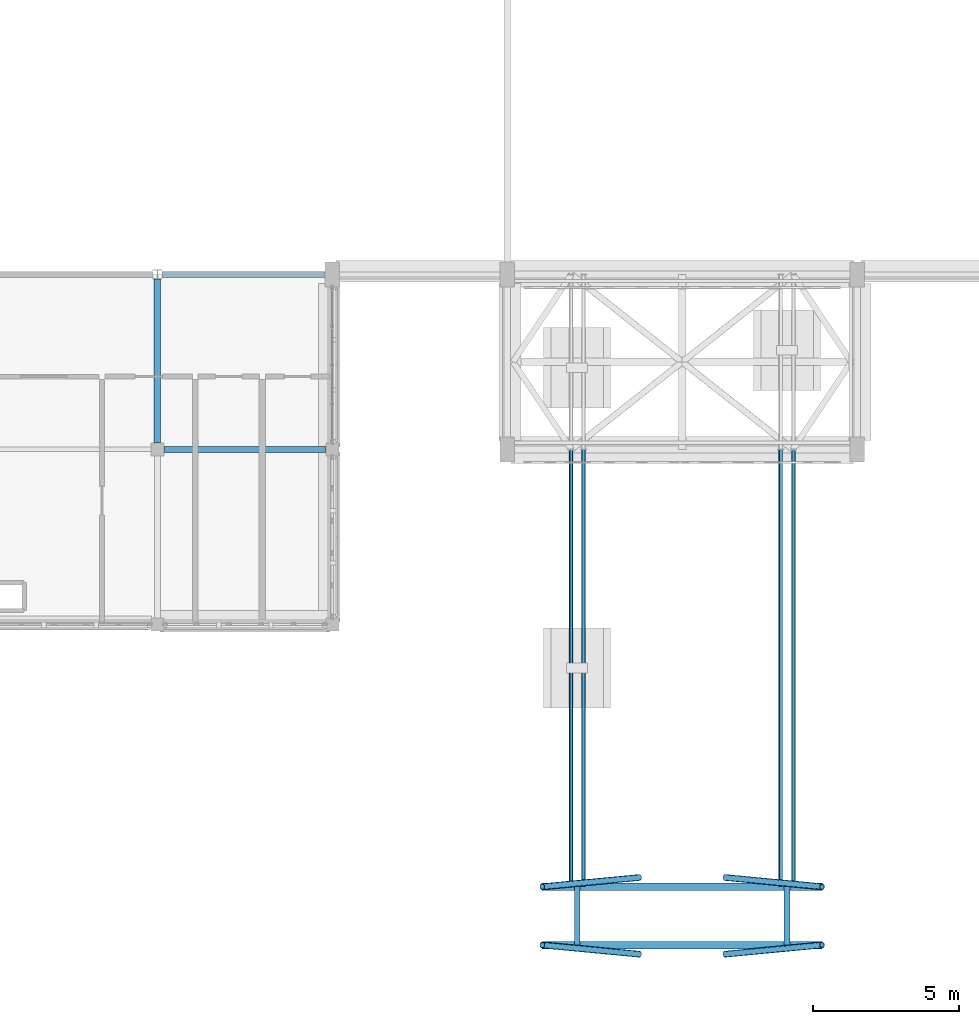
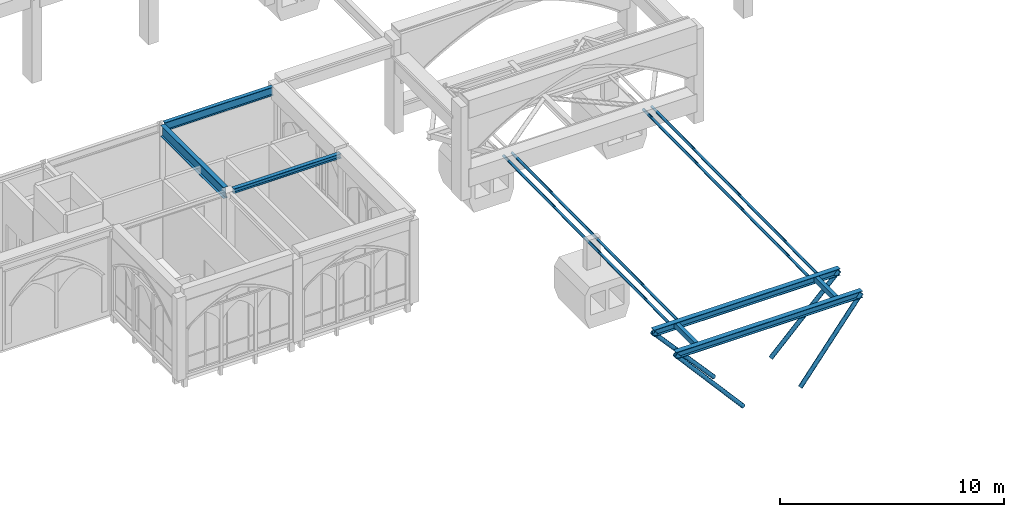
# One storey, part 22 of 59: 12 members, 3 beams.
"""IFC4 building model written with IfcOpenShell, lengths in metres."""

from ifc_helpers import new_model, si_unit, direction, frame, origin, origin_2d, place, context, subcontext, project, spatial, hollow_rectangle, hollow_circle, i_section, extrude, material, material_profile, profile_set, type_object, element, save


model = new_model("IFC4")

# Units and contexts
model_context = context("Model", 3, precision=1e-05, world=origin(), true_north=direction((0.0, 1.0)))
body_context = subcontext(model_context, "Body", "Model", "MODEL_VIEW")
ifc_project = project(units=[si_unit("LENGTHUNIT", "METRE"), si_unit("AREAUNIT", "SQUARE_METRE"), si_unit("VOLUMEUNIT", "CUBIC_METRE"), si_unit("PLANEANGLEUNIT", "RADIAN"), si_unit("MASSUNIT", "GRAM", prefix="KILO")], contexts=[model_context])

# Site, building, storey
site_placement = place(None, origin())
site = spatial("IfcSite", under=ifc_project, at=site_placement, CompositionType="ELEMENT")
building_placement = place(site_placement, origin())
building = spatial("IfcBuilding", under=site, at=building_placement, Name="Cumevento Cable Car Station", CompositionType="ELEMENT")
storey_placement = place(building_placement, frame((0.0, 0.0, 18.0)))
storey = spatial("IfcBuildingStorey", under=building, at=storey_placement, Name="L05", CompositionType="ELEMENT", Elevation=18.0)

# Members
ifc_material_1 = material(Name="Steel ASTM A572 Grade 50", Category="steel")
ifc_material_profile_1 = material_profile(ifc_material_1, hollow_circle(Radius=0.06982421875, WallThickness=0.008056640625, at=origin_2d()), Name="CHS139.7x8.0")
ifc_profile_set_1 = profile_set([ifc_material_profile_1], Name="Steel ASTM A572 Grade 50")
member_type_1 = type_object("IfcMemberType", Name="Framing Brace BR-02 CHS139.7x8.0", PredefinedType="BRACE", material=ifc_profile_set_1)
for number, where, z_axis, x_axis, name in (
    (1, (90.179931640625, 39.0, 1.3798828125), (0.0, -0.999943178437, -0.010660201528), (1.0, 0.0, 0.0), "Upper Downhill Track Rope A #658"),
    (2, (90.6201171875, 39.0, 1.3798828125), (0.0, -0.999943178437, -0.010660201528), (1.0, 0.0, 0.0), "Upper Downhill Track Rope B #662"),
    (3, (97.3798828125, 39.0, 1.3798828125), (0.0, -0.999943178437, -0.010660201528), (1.0, 0.0, 0.0), "Upper Downhill Track Rope A #666"),
    (4, (97.820068359375, 39.0, 1.3798828125), (0.0, -0.999943178437, -0.010660201528), (1.0, 0.0, 0.0), "Upper Downhill Track Rope B #670"),
):
    element("IfcMember", number, at=place(storey_placement, frame(where, z_axis=z_axis, x_axis=x_axis)), inside=storey, type_object=member_type_1, Name=name, PredefinedType="BRACE", context=body_context, shape_type="SweptSolid", body=[
        extrude(hollow_circle(Radius=0.06982421875, WallThickness=0.008056640625, at=origin_2d()), origin(), (0.0, 0.0, 1.0), 15.000732421875),
    ])
ifc_material_2 = material(Name="Steel ASTM A572 Grade 50", Category="steel")
ifc_material_profile_2 = material_profile(ifc_material_2, hollow_circle(Radius=0.109619140625, WallThickness=0.012451171875, at=origin_2d()), Name="CHS219.1x12.5")
ifc_profile_set_2 = profile_set([ifc_material_profile_2], Name="Steel ASTM A572 Grade 50")
member_type_2 = type_object("IfcMemberType", Name="Framing Brace TD-01 CHS219.1x12.5", PredefinedType="BRACE", material=ifc_profile_set_2)
for number, where, z_axis, x_axis, name in (
    (5, (92.525390625, 21.6845703125, -2.580078125), (-0.659224909612, 0.062529813025, 0.749341404855), (-0.094429685157, -0.995531533685, 0.0), "PYLON_S01 Crosshead Knee Strut #577"),
    (6, (92.525390625, 24.3154296875, -2.580078125), (-0.659224909612, -0.062529813025, 0.749341404855), (0.094429685157, -0.995531533685, 0.0), "PYLON_S01 Crosshead Knee Strut #578"),
    (7, (95.474609375, 21.6845703125, -2.580078125), (0.659224909612, 0.062529813025, 0.749341404855), (-0.094429685157, 0.995531533685, 0.0), "PYLON_S01 Crosshead Knee Strut #579"),
    (8, (95.474609375, 24.3154296875, -2.580078125), (0.659224909612, -0.062529813025, 0.749341404855), (0.094429685157, 0.995531533685, 0.0), "PYLON_S01 Crosshead Knee Strut #580"),
):
    element("IfcMember", number, at=place(storey_placement, frame(where, z_axis=z_axis, x_axis=x_axis)), inside=storey, type_object=member_type_2, Name=name, PredefinedType="BRACE", context=body_context, shape_type="SweptSolid", body=[
        extrude(hollow_circle(Radius=0.109619140625, WallThickness=0.012451171875, at=origin_2d()), origin(), (0.0, 0.0, 1.0), 5.04443359375),
    ])
ifc_material_3 = material(Name="Steel ASTM A572 Grade 50", Category="steel")
ifc_material_profile_3 = material_profile(ifc_material_3, i_section(OverallWidth=0.257080078125, OverallDepth=0.363037109375, WebThickness=0.012939453125, FlangeThickness=0.021728515625, at=origin_2d()), Name="W360x122.0")
ifc_profile_set_3 = profile_set([ifc_material_profile_3], Name="Steel ASTM A572 Grade 50")
member_type_3 = type_object("IfcMemberType", Name="Framing Chord TC-01 W360x122.0", PredefinedType="CHORD", material=ifc_profile_set_3)
for number, where, z_axis, x_axis, name in (
    (9, (89.199951171875, 22.0, 1.199951171875), (1.0, 0.0, 0.0), (0.0, 1.0, 0.0), "PYLON_S01 Sheave Crosshead Header #575"),
    (10, (89.199951171875, 24.0, 1.199951171875), (1.0, 0.0, 0.0), (0.0, 1.0, 0.0), "PYLON_S01 Sheave Crosshead Header #576"),
):
    element("IfcMember", number, at=place(storey_placement, frame(where, z_axis=z_axis, x_axis=x_axis)), inside=storey, type_object=member_type_3, Name=name, PredefinedType="CHORD", context=body_context, shape_type="SweptSolid", body=[
        extrude(i_section(OverallWidth=0.257080078125, OverallDepth=0.363037109375, WebThickness=0.012939453125, FlangeThickness=0.021728515625, at=origin_2d()), origin(), (0.0, 0.0, 1.0), 9.60009765625),
    ])
ifc_material_4 = material(Name="Steel ASTM A572 Grade 50", Category="steel")
ifc_material_profile_4 = material_profile(ifc_material_4, hollow_rectangle(XDim=0.199951171875, YDim=0.300048828125, WallThickness=0.012451171875, at=origin_2d()), Name="HSS300x200x12.5")
ifc_profile_set_4 = profile_set([ifc_material_profile_4], Name="Steel ASTM A572 Grade 50")
member_type_4 = type_object("IfcMemberType", Name="Framing Chord TC-04 HSS300x200x12.5", PredefinedType="CHORD", material=ifc_profile_set_4)
for number, where, z_axis, x_axis, name in (
    (11, (90.39990234375, 22.0, 1.199951171875), (0.0, 1.0, 0.0), (-1.0, 0.0, 0.0), "PYLON_S01 Roller Sheave Battery #581"),
    (12, (97.60009765625, 22.0, 1.199951171875), (0.0, 1.0, 0.0), (-1.0, 0.0, 0.0), "PYLON_S01 Roller Sheave Battery #582"),
):
    element("IfcMember", number, at=place(storey_placement, frame(where, z_axis=z_axis, x_axis=x_axis)), inside=storey, type_object=member_type_4, Name=name, PredefinedType="CHORD", context=body_context, shape_type="SweptSolid", body=[
        extrude(hollow_rectangle(XDim=0.199951171875, YDim=0.300048828125, WallThickness=0.012451171875, at=origin_2d()), origin(), (0.0, 0.0, 1.0), 2.0),
    ])

# Beams
ifc_material_5 = material(Name="Steel ASTM A572 Grade 50", Category="steel")
ifc_material_profile_5 = material_profile(ifc_material_5, i_section(OverallWidth=0.22802734375, OverallDepth=0.60791015625, WebThickness=0.01123046875, FlangeThickness=0.017333984375, at=origin_2d()), Name="W610x113.0")
ifc_profile_set_5 = profile_set([ifc_material_profile_5], Name="Steel ASTM A572 Grade 50")
beam_type_1 = type_object("IfcBeamType", Name="Structural Beam BM-02 W610x113.0", PredefinedType="BEAM", material=ifc_profile_set_5)
beam_1_placement = place(storey_placement, frame((76.0, 39.22509765625, 4.196044921875), z_axis=(0.0, 1.0, 0.0), x_axis=(-1.0, 0.0, 0.0)))
element("IfcBeam", 13, at=beam_1_placement, inside=storey, type_object=beam_type_1, Name="Beam BM-02 L05 #1570", PredefinedType="BEAM", context=body_context, shape_type="SweptSolid", body=[
    extrude(i_section(OverallWidth=0.22802734375, OverallDepth=0.60791015625, WebThickness=0.01123046875, FlangeThickness=0.017333984375, at=origin_2d()), origin(), (0.0, 0.0, 1.0), 5.620849609375),
])
ifc_material_6 = material(Name="Steel ASTM A572 Grade 50", Category="steel")
ifc_material_profile_6 = material_profile(ifc_material_6, i_section(OverallWidth=0.202880859375, OverallDepth=0.251953125, WebThickness=0.008056640625, FlangeThickness=0.013427734375, at=origin_2d()), Name="W250x58.0")
ifc_profile_set_6 = profile_set([ifc_material_profile_6], Name="Steel ASTM A572 Grade 50")
beam_type_2 = type_object("IfcBeamType", Name="Structural Beam BM-08 W250x58.0", PredefinedType="BEAM", material=ifc_profile_set_6)
beam_2_placement = place(storey_placement, frame((76.22509765625, 39.0, 4.3740234375), z_axis=(1.0, 0.0, 0.0), x_axis=(0.0, 1.0, 0.0)))
element("IfcBeam", 14, at=beam_2_placement, inside=storey, type_object=beam_type_2, Name="Beam BM-08 L05 #1565", PredefinedType="BEAM", context=body_context, shape_type="SweptSolid", body=[
    extrude(i_section(OverallWidth=0.202880859375, OverallDepth=0.251953125, WebThickness=0.008056640625, FlangeThickness=0.013427734375, at=origin_2d()), origin(), (0.0, 0.0, 1.0), 5.5498046875),
])
ifc_material_7 = material(Name="Steel ASTM A572 Grade 50", Category="steel")
ifc_material_profile_7 = material_profile(ifc_material_7, i_section(OverallWidth=0.19189453125, OverallDepth=0.462890625, WebThickness=0.010498046875, FlangeThickness=0.017578125, at=origin_2d()), Name="W460x89.0")
ifc_profile_set_7 = profile_set([ifc_material_profile_7], Name="Steel ASTM A572 Grade 50")
beam_type_3 = type_object("IfcBeamType", Name="Structural Beam BM-10 W460x89.0", PredefinedType="BEAM", material=ifc_profile_set_7)
beam_3_placement = place(storey_placement, frame((76.152587890625, 45.0, 4.2685546875), z_axis=(1.0, 0.0, 0.0), x_axis=(0.0, 1.0, 0.0)))
element("IfcBeam", 15, at=beam_3_placement, inside=storey, type_object=beam_type_3, Name="Beam BM-10 L05 #1567", PredefinedType="BEAM", context=body_context, shape_type="SweptSolid", body=[
    extrude(i_section(OverallWidth=0.19189453125, OverallDepth=0.462890625, WebThickness=0.010498046875, FlangeThickness=0.017578125, at=origin_2d()), origin(), (0.0, 0.0, 1.0), 5.597412109375),
])

save(model, "model.ifc")
